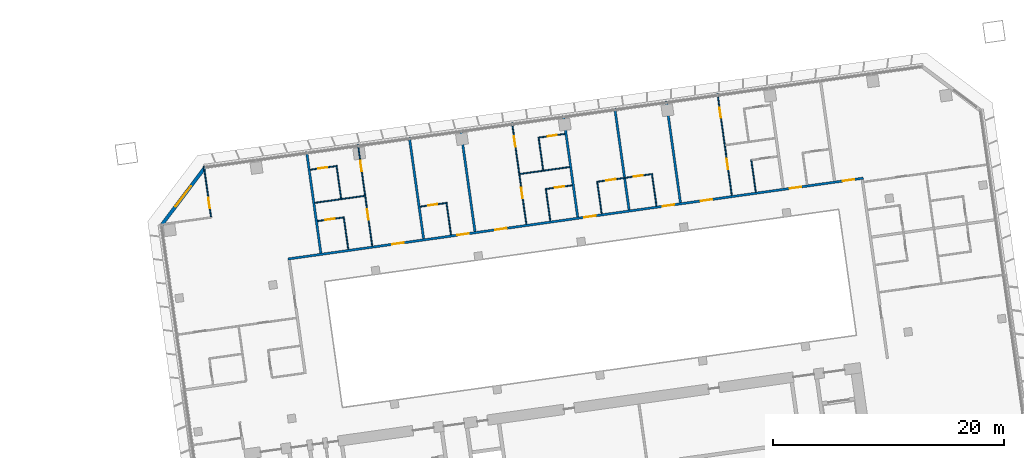
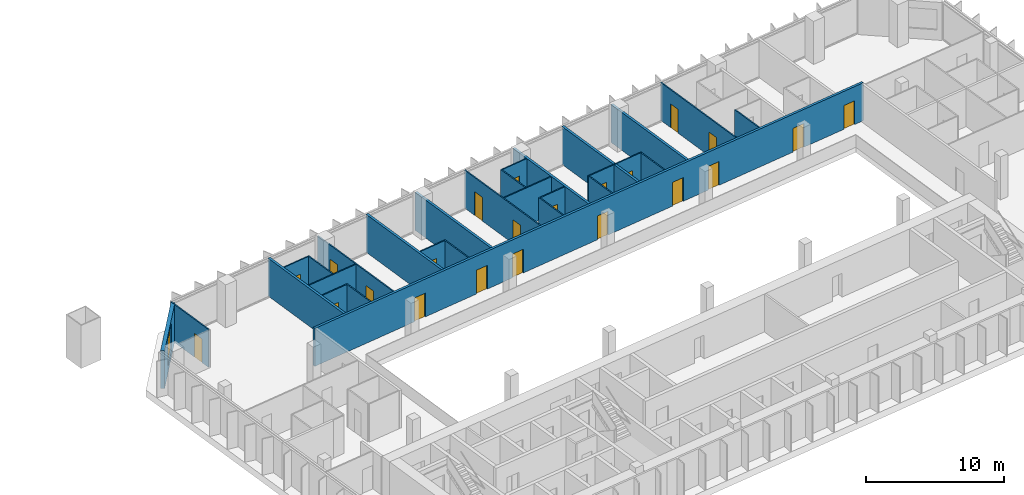
# One storey, part 21 of 25: 28 walls, 22 doors, 1 window, 23 openings.
"""IFC4 building model written with IfcOpenShell, lengths in metres."""

from ifc_helpers import new_model, si_unit, direction, frame, frame_2d, origin, place, context, subcontext, project, spatial, rectangle, extrude, material, layer, layer_set, type_object, element, fill, save


model = new_model("IFC4")

# Units and contexts
model_context = context("Model", 3, precision=1e-05, world=origin(), true_north=direction((0.0, 1.0)))
body_context = subcontext(model_context, "Body", "Model", "MODEL_VIEW")
ifc_project = project(units=[si_unit("LENGTHUNIT", "METRE"), si_unit("AREAUNIT", "SQUARE_METRE"), si_unit("VOLUMEUNIT", "CUBIC_METRE"), si_unit("PLANEANGLEUNIT", "RADIAN"), si_unit("MASSUNIT", "GRAM", prefix="KILO")], contexts=[model_context])

# Site, building, storey
site_placement = place(None, origin())
site = spatial("IfcSite", under=ifc_project, at=site_placement, CompositionType="ELEMENT")
building_placement = place(site_placement, origin())
building = spatial("IfcBuilding", under=site, at=building_placement, Name="Mirante Cascada Hotel Towers", CompositionType="ELEMENT")
storey_placement = place(building_placement, frame((0.0, 0.0, 58.5)))
storey = spatial("IfcBuildingStorey", under=building, at=storey_placement, Name="L11", CompositionType="ELEMENT", Elevation=58.5)

# Wall, openings, doors
ifc_material_1 = material(Name="Fire-rated plasterboard on metal studs")
ifc_layer_1 = layer(ifc_material_1, 0.2)
ifc_layer_set_1 = layer_set([ifc_layer_1], Name="Compartment wall 200 EI 120")
wall_type_1 = type_object("IfcWallType", Name="Compartment wall 200 EI 120", PredefinedType="PARTITIONING", material=ifc_layer_set_1)
wall_1_placement = place(storey_placement, frame((89.0146, 16.3922, 0.0), z_axis=(0.0, 0.0, 1.0), x_axis=(-0.9902681, -0.1391727, 0.0)))
wall_1 = element("IfcWall", 1, at=wall_1_placement, inside=storey, type_object=wall_type_1, Name="Wall 2-L11-17", PredefinedType="PARTITIONING", context=body_context, shape_type="SweptSolid", body=[
    extrude(rectangle(XDim=50.4, YDim=0.2, at=frame_2d((25.2, 0.0))), origin(), (0.0, 0.0, 1.0), 3.35),
])
opening_1_placement = place(wall_1_placement, frame((40.25, 0.0, 0.0)))
opening_1 = element("IfcOpeningElement", 2, at=opening_1_placement, cuts=wall_1, Name="Opening D2-L11-08", PredefinedType="OPENING", context=body_context, shape_type="SweptSolid", body=[
    extrude(rectangle(XDim=1.0, YDim=2.1, at=frame_2d((0.5, 1.05))), frame((0.0, 0.1, 0.0), z_axis=(0.0, -1.0, 0.0), x_axis=(1.0, 0.0, 0.0)), (0.0, 0.0, 1.0), 0.2),
])
opening_2_placement = place(wall_1_placement, frame((34.55, 0.0, 0.0)))
opening_2 = element("IfcOpeningElement", 3, at=opening_2_placement, cuts=wall_1, Name="Opening D2-L11-09", PredefinedType="OPENING", context=body_context, shape_type="SweptSolid", body=[
    extrude(rectangle(XDim=1.0, YDim=2.1, at=frame_2d((0.5, 1.05))), frame((0.0, 0.1, 0.0), z_axis=(0.0, -1.0, 0.0), x_axis=(1.0, 0.0, 0.0)), (0.0, 0.0, 1.0), 0.2),
])
opening_3_placement = place(wall_1_placement, frame((31.25, 0.0, 0.0)))
opening_3 = element("IfcOpeningElement", 4, at=opening_3_placement, cuts=wall_1, Name="Opening D2-L11-10", PredefinedType="OPENING", context=body_context, shape_type="SweptSolid", body=[
    extrude(rectangle(XDim=1.0, YDim=2.1, at=frame_2d((0.5, 1.05))), frame((0.0, 0.1, 0.0), z_axis=(0.0, -1.0, 0.0), x_axis=(1.0, 0.0, 0.0)), (0.0, 0.0, 1.0), 0.2),
])
opening_4_placement = place(wall_1_placement, frame((23.45, 0.0, 0.0)))
opening_4 = element("IfcOpeningElement", 5, at=opening_4_placement, cuts=wall_1, Name="Opening D2-L11-11", PredefinedType="OPENING", context=body_context, shape_type="SweptSolid", body=[
    extrude(rectangle(XDim=1.0, YDim=2.1, at=frame_2d((0.5, 1.05))), frame((0.0, 0.1, 0.0), z_axis=(0.0, -1.0, 0.0), x_axis=(1.0, 0.0, 0.0)), (0.0, 0.0, 1.0), 0.2),
])
opening_5_placement = place(wall_1_placement, frame((16.55, 0.0, 0.0)))
opening_5 = element("IfcOpeningElement", 6, at=opening_5_placement, cuts=wall_1, Name="Opening D2-L11-12", PredefinedType="OPENING", context=body_context, shape_type="SweptSolid", body=[
    extrude(rectangle(XDim=1.0, YDim=2.1, at=frame_2d((0.5, 1.05))), frame((0.0, 0.1, 0.0), z_axis=(0.0, -1.0, 0.0), x_axis=(1.0, 0.0, 0.0)), (0.0, 0.0, 1.0), 0.2),
])
opening_6_placement = place(wall_1_placement, frame((13.25, 0.0, 0.0)))
opening_6 = element("IfcOpeningElement", 7, at=opening_6_placement, cuts=wall_1, Name="Opening D2-L11-13", PredefinedType="OPENING", context=body_context, shape_type="SweptSolid", body=[
    extrude(rectangle(XDim=1.0, YDim=2.1, at=frame_2d((0.5, 1.05))), frame((0.0, 0.1, 0.0), z_axis=(0.0, -1.0, 0.0), x_axis=(1.0, 0.0, 0.0)), (0.0, 0.0, 1.0), 0.2),
])
opening_7_placement = place(wall_1_placement, frame((5.45, 0.0, 0.0)))
opening_7 = element("IfcOpeningElement", 8, at=opening_7_placement, cuts=wall_1, Name="Opening D2-L11-14", PredefinedType="OPENING", context=body_context, shape_type="SweptSolid", body=[
    extrude(rectangle(XDim=1.0, YDim=2.1, at=frame_2d((0.5, 1.05))), frame((0.0, 0.1, 0.0), z_axis=(0.0, -1.0, 0.0), x_axis=(1.0, 0.0, 0.0)), (0.0, 0.0, 1.0), 0.2),
])
opening_8_placement = place(wall_1_placement, frame((0.8, 0.0, 0.0)))
opening_8 = element("IfcOpeningElement", 9, at=opening_8_placement, cuts=wall_1, Name="Opening D2-L11-15", PredefinedType="OPENING", context=body_context, shape_type="SweptSolid", body=[
    extrude(rectangle(XDim=1.0, YDim=2.1, at=frame_2d((0.5, 1.05))), frame((0.0, 0.1, 0.0), z_axis=(0.0, -1.0, 0.0), x_axis=(1.0, 0.0, 0.0)), (0.0, 0.0, 1.0), 0.2),
])
ifc_material_2 = material(Name="Fire-rated timber door leaf", Category="wood")
door_type_1 = type_object("IfcDoorType", Name="Entrance door DG1 1000x2100 EI 60", OperationType="SINGLE_SWING_LEFT", PredefinedType="DOOR", material=ifc_material_2)
door_1_placement = place(opening_1_placement, frame((1.0, 0.0, 0.0), z_axis=(0.0, 0.0, 1.0), x_axis=(-1.0, 0.0, 0.0)))
door_1 = element("IfcDoor", 10, at=door_1_placement, inside=storey, type_object=door_type_1, Name="Door D2-L11-08", OperationType="SINGLE_SWING_RIGHT", OverallHeight=2.1, OverallWidth=1.0, PredefinedType="DOOR", context=body_context, shape_type="SweptSolid", body=[
    extrude(rectangle(XDim=1.0, YDim=2.1, at=frame_2d((0.5, 1.05))), frame((0.0, 0.025, 0.0), z_axis=(0.0, -1.0, 0.0), x_axis=(1.0, 0.0, 0.0)), (0.0, 0.0, 1.0), 0.05),
])
fill(opening_1, door_1)
door_2_placement = place(opening_2_placement, frame((1.0, 0.0, 0.0), z_axis=(0.0, 0.0, 1.0), x_axis=(-1.0, 0.0, 0.0)))
door_2 = element("IfcDoor", 11, at=door_2_placement, inside=storey, type_object=door_type_1, Name="Door D2-L11-09", OperationType="SINGLE_SWING_RIGHT", OverallHeight=2.1, OverallWidth=1.0, PredefinedType="DOOR", context=body_context, shape_type="SweptSolid", body=[
    extrude(rectangle(XDim=1.0, YDim=2.1, at=frame_2d((0.5, 1.05))), frame((0.0, 0.025, 0.0), z_axis=(0.0, -1.0, 0.0), x_axis=(1.0, 0.0, 0.0)), (0.0, 0.0, 1.0), 0.05),
])
fill(opening_2, door_2)
door_3_placement = place(opening_3_placement, frame((1.0, 0.0, 0.0), z_axis=(0.0, 0.0, 1.0), x_axis=(-1.0, 0.0, 0.0)))
door_3 = element("IfcDoor", 12, at=door_3_placement, inside=storey, type_object=door_type_1, Name="Door D2-L11-10", OperationType="SINGLE_SWING_RIGHT", OverallHeight=2.1, OverallWidth=1.0, PredefinedType="DOOR", context=body_context, shape_type="SweptSolid", body=[
    extrude(rectangle(XDim=1.0, YDim=2.1, at=frame_2d((0.5, 1.05))), frame((0.0, 0.025, 0.0), z_axis=(0.0, -1.0, 0.0), x_axis=(1.0, 0.0, 0.0)), (0.0, 0.0, 1.0), 0.05),
])
fill(opening_3, door_3)
door_4_placement = place(opening_4_placement, frame((1.0, 0.0, 0.0), z_axis=(0.0, 0.0, 1.0), x_axis=(-1.0, 0.0, 0.0)))
door_4 = element("IfcDoor", 13, at=door_4_placement, inside=storey, type_object=door_type_1, Name="Door D2-L11-11", OperationType="SINGLE_SWING_RIGHT", OverallHeight=2.1, OverallWidth=1.0, PredefinedType="DOOR", context=body_context, shape_type="SweptSolid", body=[
    extrude(rectangle(XDim=1.0, YDim=2.1, at=frame_2d((0.5, 1.05))), frame((0.0, 0.025, 0.0), z_axis=(0.0, -1.0, 0.0), x_axis=(1.0, 0.0, 0.0)), (0.0, 0.0, 1.0), 0.05),
])
fill(opening_4, door_4)
door_5_placement = place(opening_5_placement, frame((1.0, 0.0, 0.0), z_axis=(0.0, 0.0, 1.0), x_axis=(-1.0, 0.0, 0.0)))
door_5 = element("IfcDoor", 14, at=door_5_placement, inside=storey, type_object=door_type_1, Name="Door D2-L11-12", OperationType="SINGLE_SWING_RIGHT", OverallHeight=2.1, OverallWidth=1.0, PredefinedType="DOOR", context=body_context, shape_type="SweptSolid", body=[
    extrude(rectangle(XDim=1.0, YDim=2.1, at=frame_2d((0.5, 1.05))), frame((0.0, 0.025, 0.0), z_axis=(0.0, -1.0, 0.0), x_axis=(1.0, 0.0, 0.0)), (0.0, 0.0, 1.0), 0.05),
])
fill(opening_5, door_5)
door_6_placement = place(opening_6_placement, frame((1.0, 0.0, 0.0), z_axis=(0.0, 0.0, 1.0), x_axis=(-1.0, 0.0, 0.0)))
door_6 = element("IfcDoor", 15, at=door_6_placement, inside=storey, type_object=door_type_1, Name="Door D2-L11-13", OperationType="SINGLE_SWING_RIGHT", OverallHeight=2.1, OverallWidth=1.0, PredefinedType="DOOR", context=body_context, shape_type="SweptSolid", body=[
    extrude(rectangle(XDim=1.0, YDim=2.1, at=frame_2d((0.5, 1.05))), frame((0.0, 0.025, 0.0), z_axis=(0.0, -1.0, 0.0), x_axis=(1.0, 0.0, 0.0)), (0.0, 0.0, 1.0), 0.05),
])
fill(opening_6, door_6)
door_7_placement = place(opening_7_placement, frame((1.0, 0.0, 0.0), z_axis=(0.0, 0.0, 1.0), x_axis=(-1.0, 0.0, 0.0)))
door_7 = element("IfcDoor", 16, at=door_7_placement, inside=storey, type_object=door_type_1, Name="Door D2-L11-14", OperationType="SINGLE_SWING_RIGHT", OverallHeight=2.1, OverallWidth=1.0, PredefinedType="DOOR", context=body_context, shape_type="SweptSolid", body=[
    extrude(rectangle(XDim=1.0, YDim=2.1, at=frame_2d((0.5, 1.05))), frame((0.0, 0.025, 0.0), z_axis=(0.0, -1.0, 0.0), x_axis=(1.0, 0.0, 0.0)), (0.0, 0.0, 1.0), 0.05),
])
fill(opening_7, door_7)
door_8_placement = place(opening_8_placement, frame((1.0, 0.0, 0.0), z_axis=(0.0, 0.0, 1.0), x_axis=(-1.0, 0.0, 0.0)))
door_8 = element("IfcDoor", 17, at=door_8_placement, inside=storey, type_object=door_type_1, Name="Door D2-L11-15", OperationType="SINGLE_SWING_RIGHT", OverallHeight=2.1, OverallWidth=1.0, PredefinedType="DOOR", context=body_context, shape_type="SweptSolid", body=[
    extrude(rectangle(XDim=1.0, YDim=2.1, at=frame_2d((0.5, 1.05))), frame((0.0, 0.025, 0.0), z_axis=(0.0, -1.0, 0.0), x_axis=(1.0, 0.0, 0.0)), (0.0, 0.0, 1.0), 0.05),
])
fill(opening_8, door_8)

# Walls
for number, where, z_axis, x_axis, name in (
    (18, (41.963, 9.8805, 0.0), (0.0, 0.0, 1.0), (-0.1391794, 0.9902672, 0.0), "Wall 2-L11-38"),
    (19, (50.8754, 11.1331, 0.0), (0.0, 0.0, 1.0), (-0.1391794, 0.9902672, 0.0), "Wall 2-L11-42"),
    (20, (55.3316, 11.7594, 0.0), (0.0, 0.0, 1.0), (-0.1391794, 0.9902672, 0.0), "Wall 2-L11-44"),
    (21, (64.244, 13.0119, 0.0), (0.0, 0.0, 1.0), (-0.1391684, 0.9902687, 0.0), "Wall 2-L11-48"),
    (22, (68.7002, 13.6382, 0.0), (0.0, 0.0, 1.0), (-0.1391684, 0.9902687, 0.0), "Wall 2-L11-50"),
    (23, (73.1564, 14.2645, 0.0), (0.0, 0.0, 1.0), (-0.1391684, 0.9902687, 0.0), "Wall 2-L11-52"),
):
    element("IfcWall", number, at=place(storey_placement, frame(where, z_axis=z_axis, x_axis=x_axis)), inside=storey, type_object=wall_type_1, Name=name, PredefinedType="PARTITIONING", context=body_context, shape_type="SweptSolid", body=[
        extrude(rectangle(XDim=8.9, YDim=0.2, at=frame_2d((4.45, 0.0))), origin(), (0.0, 0.0, 1.0), 3.35),
    ])

# Wall, opening, door
ifc_material_3 = material(Name="Plasterboard on metal studs")
ifc_layer_2 = layer(ifc_material_3, 0.1)
ifc_layer_set_2 = layer_set([ifc_layer_2], Name="Partition 100")
wall_type_2 = type_object("IfcWallType", Name="Partition 100", PredefinedType="PARTITIONING", material=ifc_layer_set_2)
wall_2_placement = place(storey_placement, frame((41.6723, 12.6672, 0.0), z_axis=(0.0, 0.0, 1.0), x_axis=(0.9902643, 0.1391997, 0.0)))
wall_2 = element("IfcWall", 24, at=wall_2_placement, inside=storey, type_object=wall_type_2, Name="Wall 2-L11-18", PredefinedType="PARTITIONING", context=body_context, shape_type="SweptSolid", body=[
    extrude(rectangle(XDim=2.25, YDim=0.1, at=frame_2d((1.125, 0.0))), origin(), (0.0, 0.0, 1.0), 3.35),
])
opening_9_placement = place(wall_2_placement, frame((0.7, 0.0, 0.0)))
opening_9 = element("IfcOpeningElement", 25, at=opening_9_placement, cuts=wall_2, Name="Opening D2-L11-16", PredefinedType="OPENING", context=body_context, shape_type="SweptSolid", body=[
    extrude(rectangle(XDim=0.8, YDim=2.1, at=frame_2d((0.4, 1.05))), frame((0.0, 0.05, 0.0), z_axis=(0.0, -1.0, 0.0), x_axis=(1.0, 0.0, 0.0)), (0.0, 0.0, 1.0), 0.1),
])
ifc_material_4 = material(Name="Timber door leaf", Category="wood")
door_type_2 = type_object("IfcDoorType", Name="Bathroom door DG4 800x2100", OperationType="SINGLE_SWING_LEFT", PredefinedType="DOOR", material=ifc_material_4)
door_9_placement = place(opening_9_placement, frame((0.8, 0.0, 0.0), z_axis=(0.0, 0.0, 1.0), x_axis=(-1.0, 0.0, 0.0)))
door_9 = element("IfcDoor", 26, at=door_9_placement, inside=storey, type_object=door_type_2, Name="Door D2-L11-16", OperationType="SINGLE_SWING_RIGHT", OverallHeight=2.1, OverallWidth=0.8, PredefinedType="DOOR", context=body_context, shape_type="SweptSolid", body=[
    extrude(rectangle(XDim=0.8, YDim=2.1, at=frame_2d((0.4, 1.05))), frame((0.0, 0.025, 0.0), z_axis=(0.0, -1.0, 0.0), x_axis=(1.0, 0.0, 0.0)), (0.0, 0.0, 1.0), 0.05),
])
fill(opening_9, door_9)

wall_3_placement = place(storey_placement, frame((52.8128, 14.2329, 0.0), z_axis=(0.0, 0.0, 1.0), x_axis=(-0.9902705, -0.1391561, 0.0)))
wall_3 = element("IfcWall", 27, at=wall_3_placement, inside=storey, type_object=wall_type_2, Name="Wall 2-L11-19", PredefinedType="PARTITIONING", context=body_context, shape_type="SweptSolid", body=[
    extrude(rectangle(XDim=2.25, YDim=0.1, at=frame_2d((1.125, 0.0))), origin(), (0.0, 0.0, 1.0), 3.35),
])
opening_10_placement = place(wall_3_placement, frame((0.75, 0.0, 0.0)))
opening_10 = element("IfcOpeningElement", 28, at=opening_10_placement, cuts=wall_3, Name="Opening D2-L11-17", PredefinedType="OPENING", context=body_context, shape_type="SweptSolid", body=[
    extrude(rectangle(XDim=0.8, YDim=2.1, at=frame_2d((0.4, 1.05))), frame((0.0, 0.05, 0.0), z_axis=(0.0, -1.0, 0.0), x_axis=(1.0, 0.0, 0.0)), (0.0, 0.0, 1.0), 0.1),
])
door_10_placement = place(opening_10_placement, frame((0.8, 0.0, 0.0), z_axis=(0.0, 0.0, 1.0), x_axis=(-1.0, 0.0, 0.0)))
door_10 = element("IfcDoor", 29, at=door_10_placement, inside=storey, type_object=door_type_2, Name="Door D2-L11-17", OperationType="SINGLE_SWING_RIGHT", OverallHeight=2.1, OverallWidth=0.8, PredefinedType="DOOR", context=body_context, shape_type="SweptSolid", body=[
    extrude(rectangle(XDim=0.8, YDim=2.1, at=frame_2d((0.4, 1.05))), frame((0.0, 0.025, 0.0), z_axis=(0.0, -1.0, 0.0), x_axis=(1.0, 0.0, 0.0)), (0.0, 0.0, 1.0), 0.05),
])
fill(opening_10, door_10)

wall_4_placement = place(storey_placement, frame((61.5272, 15.4576, 0.0), z_axis=(0.0, 0.0, 1.0), x_axis=(0.9902643, 0.1391997, 0.0)))
wall_4 = element("IfcWall", 30, at=wall_4_placement, inside=storey, type_object=wall_type_2, Name="Wall 2-L11-20", PredefinedType="PARTITIONING", context=body_context, shape_type="SweptSolid", body=[
    extrude(rectangle(XDim=2.25, YDim=0.1, at=frame_2d((1.125, 0.0))), origin(), (0.0, 0.0, 1.0), 3.35),
])
opening_11_placement = place(wall_4_placement, frame((0.75, 0.0, 0.0)))
opening_11 = element("IfcOpeningElement", 31, at=opening_11_placement, cuts=wall_4, Name="Opening D2-L11-18", PredefinedType="OPENING", context=body_context, shape_type="SweptSolid", body=[
    extrude(rectangle(XDim=0.8, YDim=2.1, at=frame_2d((0.4, 1.05))), frame((0.0, 0.05, 0.0), z_axis=(0.0, -1.0, 0.0), x_axis=(1.0, 0.0, 0.0)), (0.0, 0.0, 1.0), 0.1),
])
door_11_placement = place(opening_11_placement, frame((0.8, 0.0, 0.0), z_axis=(0.0, 0.0, 1.0), x_axis=(-1.0, 0.0, 0.0)))
door_11 = element("IfcDoor", 32, at=door_11_placement, inside=storey, type_object=door_type_2, Name="Door D2-L11-18", OperationType="SINGLE_SWING_RIGHT", OverallHeight=2.1, OverallWidth=0.8, PredefinedType="DOOR", context=body_context, shape_type="SweptSolid", body=[
    extrude(rectangle(XDim=0.8, YDim=2.1, at=frame_2d((0.4, 1.05))), frame((0.0, 0.025, 0.0), z_axis=(0.0, -1.0, 0.0), x_axis=(1.0, 0.0, 0.0)), (0.0, 0.0, 1.0), 0.05),
])
fill(opening_11, door_11)

# Wall, openings, doors
wall_5_placement = place(storey_placement, frame((70.7367, 16.7519, 0.0), z_axis=(0.0, 0.0, 1.0), x_axis=(-0.9902694, -0.1391638, 0.0)))
wall_5 = element("IfcWall", 33, at=wall_5_placement, inside=storey, type_object=wall_type_2, Name="Wall 2-L11-21", PredefinedType="PARTITIONING", context=body_context, shape_type="SweptSolid", body=[
    extrude(rectangle(XDim=4.9, YDim=0.1, at=frame_2d((2.45, 0.0))), origin(), (0.0, 0.0, 1.0), 3.35),
])
opening_12_placement = place(wall_5_placement, frame((3.25, 0.0, 0.0)))
opening_12 = element("IfcOpeningElement", 34, at=opening_12_placement, cuts=wall_5, Name="Opening D2-L11-19", PredefinedType="OPENING", context=body_context, shape_type="SweptSolid", body=[
    extrude(rectangle(XDim=0.8, YDim=2.1, at=frame_2d((0.4, 1.05))), frame((0.0, 0.05, 0.0), z_axis=(0.0, -1.0, 0.0), x_axis=(1.0, 0.0, 0.0)), (0.0, 0.0, 1.0), 0.1),
])
opening_13_placement = place(wall_5_placement, frame((0.85, 0.0, 0.0)))
opening_13 = element("IfcOpeningElement", 35, at=opening_13_placement, cuts=wall_5, Name="Opening D2-L11-20", PredefinedType="OPENING", context=body_context, shape_type="SweptSolid", body=[
    extrude(rectangle(XDim=0.8, YDim=2.1, at=frame_2d((0.4, 1.05))), frame((0.0, 0.05, 0.0), z_axis=(0.0, -1.0, 0.0), x_axis=(1.0, 0.0, 0.0)), (0.0, 0.0, 1.0), 0.1),
])
door_12_placement = place(opening_12_placement, frame((0.8, 0.0, 0.0), z_axis=(0.0, 0.0, 1.0), x_axis=(-1.0, 0.0, 0.0)))
door_12 = element("IfcDoor", 36, at=door_12_placement, inside=storey, type_object=door_type_2, Name="Door D2-L11-19", OperationType="SINGLE_SWING_RIGHT", OverallHeight=2.1, OverallWidth=0.8, PredefinedType="DOOR", context=body_context, shape_type="SweptSolid", body=[
    extrude(rectangle(XDim=0.8, YDim=2.1, at=frame_2d((0.4, 1.05))), frame((0.0, 0.025, 0.0), z_axis=(0.0, -1.0, 0.0), x_axis=(1.0, 0.0, 0.0)), (0.0, 0.0, 1.0), 0.05),
])
fill(opening_12, door_12)
door_13_placement = place(opening_13_placement, frame((0.8, 0.0, 0.0), z_axis=(0.0, 0.0, 1.0), x_axis=(-1.0, 0.0, 0.0)))
door_13 = element("IfcDoor", 37, at=door_13_placement, inside=storey, type_object=door_type_2, Name="Door D2-L11-20", OperationType="SINGLE_SWING_RIGHT", OverallHeight=2.1, OverallWidth=0.8, PredefinedType="DOOR", context=body_context, shape_type="SweptSolid", body=[
    extrude(rectangle(XDim=0.8, YDim=2.1, at=frame_2d((0.4, 1.05))), frame((0.0, 0.025, 0.0), z_axis=(0.0, -1.0, 0.0), x_axis=(1.0, 0.0, 0.0)), (0.0, 0.0, 1.0), 0.05),
])
fill(opening_13, door_13)

# Walls
for number, where, z_axis, x_axis, name in (
    (38, (45.7573, 14.857, 0.0), (0.0, 0.0, 1.0), (-0.9902683, -0.1391714, 0.0), "Wall 2-L11-25"),
    (39, (59.2249, 16.7498, 0.0), (0.0, 0.0, 1.0), (0.9902683, 0.1391714, 0.0), "Wall 2-L11-26"),
):
    element("IfcWall", number, at=place(storey_placement, frame(where, z_axis=z_axis, x_axis=x_axis)), inside=storey, type_object=wall_type_2, Name=name, PredefinedType="PARTITIONING", context=body_context, shape_type="SweptSolid", body=[
        extrude(rectangle(XDim=4.35, YDim=0.1, at=frame_2d((2.175, 0.0))), origin(), (0.0, 0.0, 1.0), 3.35),
    ])

# Wall, opening, door
wall_6_placement = place(storey_placement, frame((41.046, 17.1234, 0.0), z_axis=(0.0, 0.0, 1.0), x_axis=(0.9902643, 0.1391997, 0.0)))
wall_6 = element("IfcWall", 40, at=wall_6_placement, inside=storey, type_object=wall_type_2, Name="Wall 2-L11-28", PredefinedType="PARTITIONING", context=body_context, shape_type="SweptSolid", body=[
    extrude(rectangle(XDim=2.25, YDim=0.1, at=frame_2d((1.125, 0.0))), origin(), (0.0, 0.0, 1.0), 3.35),
])
opening_14_placement = place(wall_6_placement, frame((0.7, 0.0, 0.0)))
opening_14 = element("IfcOpeningElement", 41, at=opening_14_placement, cuts=wall_6, Name="Opening D2-L11-23", PredefinedType="OPENING", context=body_context, shape_type="SweptSolid", body=[
    extrude(rectangle(XDim=0.8, YDim=2.1, at=frame_2d((0.4, 1.05))), frame((0.0, 0.05, 0.0), z_axis=(0.0, -1.0, 0.0), x_axis=(1.0, 0.0, 0.0)), (0.0, 0.0, 1.0), 0.1),
])
door_14_placement = place(opening_14_placement, frame((0.8, 0.0, 0.0), z_axis=(0.0, 0.0, 1.0), x_axis=(-1.0, 0.0, 0.0)))
door_14 = element("IfcDoor", 42, at=door_14_placement, inside=storey, type_object=door_type_2, Name="Door D2-L11-23", OperationType="SINGLE_SWING_RIGHT", OverallHeight=2.1, OverallWidth=0.8, PredefinedType="DOOR", context=body_context, shape_type="SweptSolid", body=[
    extrude(rectangle(XDim=0.8, YDim=2.1, at=frame_2d((0.4, 1.05))), frame((0.0, 0.025, 0.0), z_axis=(0.0, -1.0, 0.0), x_axis=(1.0, 0.0, 0.0)), (0.0, 0.0, 1.0), 0.05),
])
fill(opening_14, door_14)

wall_7_placement = place(storey_placement, frame((63.129, 20.227, 0.0), z_axis=(0.0, 0.0, 1.0), x_axis=(-0.9902643, -0.1391997, 0.0)))
wall_7 = element("IfcWall", 43, at=wall_7_placement, inside=storey, type_object=wall_type_2, Name="Wall 2-L11-29", PredefinedType="PARTITIONING", context=body_context, shape_type="SweptSolid", body=[
    extrude(rectangle(XDim=2.25, YDim=0.1, at=frame_2d((1.125, 0.0))), origin(), (0.0, 0.0, 1.0), 3.35),
])
opening_15_placement = place(wall_7_placement, frame((0.7, 0.0, 0.0)))
opening_15 = element("IfcOpeningElement", 44, at=opening_15_placement, cuts=wall_7, Name="Opening D2-L11-24", PredefinedType="OPENING", context=body_context, shape_type="SweptSolid", body=[
    extrude(rectangle(XDim=0.8, YDim=2.1, at=frame_2d((0.4, 1.05))), frame((0.0, 0.05, 0.0), z_axis=(0.0, -1.0, 0.0), x_axis=(1.0, 0.0, 0.0)), (0.0, 0.0, 1.0), 0.1),
])
door_15_placement = place(opening_15_placement, origin())
door_15 = element("IfcDoor", 45, at=door_15_placement, inside=storey, type_object=door_type_2, Name="Door D2-L11-24", OperationType="SINGLE_SWING_LEFT", OverallHeight=2.1, OverallWidth=0.8, PredefinedType="DOOR", context=body_context, shape_type="SweptSolid", body=[
    extrude(rectangle(XDim=0.8, YDim=2.1, at=frame_2d((0.4, 1.05))), frame((0.0, 0.025, 0.0), z_axis=(0.0, -1.0, 0.0), x_axis=(1.0, 0.0, 0.0)), (0.0, 0.0, 1.0), 0.05),
])
fill(opening_15, door_15)

wall_8_placement = place(storey_placement, frame((32.4312, 13.0347, 0.0), z_axis=(0.0, 0.0, 1.0), x_axis=(-0.1391684, 0.9902687, 0.0)))
wall_8 = element("IfcWall", 46, at=wall_8_placement, inside=storey, type_object=wall_type_2, Name="Wall 2-L11-34", PredefinedType="PARTITIONING", context=body_context, shape_type="SweptSolid", body=[
    extrude(rectangle(XDim=4.45, YDim=0.1, at=frame_2d((2.225, 0.0))), origin(), (0.0, 0.0, 1.0), 3.35),
])
opening_16_placement = place(wall_8_placement, frame((0.75, 0.0, 0.0)))
opening_16 = element("IfcOpeningElement", 47, at=opening_16_placement, cuts=wall_8, Name="Opening D2-L11-29", PredefinedType="OPENING", context=body_context, shape_type="SweptSolid", body=[
    extrude(rectangle(XDim=0.9, YDim=2.1, at=frame_2d((0.45, 1.05))), frame((0.0, 0.05, 0.0), z_axis=(0.0, -1.0, 0.0), x_axis=(1.0, 0.0, 0.0)), (0.0, 0.0, 1.0), 0.1),
])
ifc_material_5 = material(Name="Timber door leaf", Category="wood")
door_type_3 = type_object("IfcDoorType", Name="Room door DG3 900x2100", OperationType="SINGLE_SWING_LEFT", PredefinedType="DOOR", material=ifc_material_5)
door_16_placement = place(opening_16_placement, frame((0.9, 0.0, 0.0), z_axis=(0.0, 0.0, 1.0), x_axis=(-1.0, 0.0, 0.0)))
door_16 = element("IfcDoor", 48, at=door_16_placement, inside=storey, type_object=door_type_3, Name="Door D2-L11-29", OperationType="SINGLE_SWING_RIGHT", OverallHeight=2.1, OverallWidth=0.9, PredefinedType="DOOR", context=body_context, shape_type="SweptSolid", body=[
    extrude(rectangle(XDim=0.9, YDim=2.1, at=frame_2d((0.45, 1.05))), frame((0.0, 0.025, 0.0), z_axis=(0.0, -1.0, 0.0), x_axis=(1.0, 0.0, 0.0)), (0.0, 0.0, 1.0), 0.05),
])
fill(opening_16, door_16)

# Walls
wall_9_placement = place(storey_placement, frame((43.943, 13.0368, 0.0), z_axis=(0.0, 0.0, 1.0), x_axis=(0.1391613, -0.9902697, 0.0)))
element("IfcWall", 49, at=wall_9_placement, inside=storey, type_object=wall_type_2, Name="Wall 2-L11-39", PredefinedType="PARTITIONING", context=body_context, shape_type="SweptSolid", body=[
    extrude(rectangle(XDim=2.8499, YDim=0.1, at=frame_2d((1.425, 0.0))), origin(), (0.0, 0.0, 1.0), 3.35),
])
wall_10_placement = place(storey_placement, frame((43.7203, 14.6213, 0.0), z_axis=(0.0, 0.0, 1.0), x_axis=(-0.1391761, 0.9902676, 0.0)))
element("IfcWall", 50, at=wall_10_placement, inside=storey, type_object=wall_type_2, Name="Wall 2-L11-40", PredefinedType="PARTITIONING", context=body_context, shape_type="SweptSolid", body=[
    extrude(rectangle(XDim=2.8999, YDim=0.1, at=frame_2d((1.45, 0.0))), origin(), (0.0, 0.0, 1.0), 3.35),
])

# Wall, openings, doors
wall_11_placement = place(storey_placement, frame((45.1805, 19.3202, 0.0), z_axis=(0.0, 0.0, 1.0), x_axis=(0.1391794, -0.9902672, 0.0)))
wall_11 = element("IfcWall", 51, at=wall_11_placement, inside=storey, type_object=wall_type_2, Name="Wall 2-L11-41", PredefinedType="PARTITIONING", context=body_context, shape_type="SweptSolid", body=[
    extrude(rectangle(XDim=8.9, YDim=0.1, at=frame_2d((4.45, 0.0))), origin(), (0.0, 0.0, 1.0), 3.35),
])
opening_17_placement = place(wall_11_placement, frame((5.7, 0.0, 0.0)))
opening_17 = element("IfcOpeningElement", 52, at=opening_17_placement, cuts=wall_11, Name="Opening D2-L11-32", PredefinedType="OPENING", context=body_context, shape_type="SweptSolid", body=[
    extrude(rectangle(XDim=0.9, YDim=2.1, at=frame_2d((0.45, 1.05))), frame((0.0, 0.05, 0.0), z_axis=(0.0, -1.0, 0.0), x_axis=(1.0, 0.0, 0.0)), (0.0, 0.0, 1.0), 0.1),
])
opening_18_placement = place(wall_11_placement, frame((1.45, 0.0, 0.0)))
opening_18 = element("IfcOpeningElement", 53, at=opening_18_placement, cuts=wall_11, Name="Opening D2-L11-33", PredefinedType="OPENING", context=body_context, shape_type="SweptSolid", body=[
    extrude(rectangle(XDim=0.9, YDim=2.1, at=frame_2d((0.45, 1.05))), frame((0.0, 0.05, 0.0), z_axis=(0.0, -1.0, 0.0), x_axis=(1.0, 0.0, 0.0)), (0.0, 0.0, 1.0), 0.1),
])
door_17_placement = place(opening_17_placement, origin())
door_17 = element("IfcDoor", 54, at=door_17_placement, inside=storey, type_object=door_type_3, Name="Door D2-L11-32", OperationType="SINGLE_SWING_LEFT", OverallHeight=2.1, OverallWidth=0.9, PredefinedType="DOOR", context=body_context, shape_type="SweptSolid", body=[
    extrude(rectangle(XDim=0.9, YDim=2.1, at=frame_2d((0.45, 1.05))), frame((0.0, 0.025, 0.0), z_axis=(0.0, -1.0, 0.0), x_axis=(1.0, 0.0, 0.0)), (0.0, 0.0, 1.0), 0.05),
])
fill(opening_17, door_17)
door_18_placement = place(opening_18_placement, origin())
door_18 = element("IfcDoor", 55, at=door_18_placement, inside=storey, type_object=door_type_3, Name="Door D2-L11-33", OperationType="SINGLE_SWING_LEFT", OverallHeight=2.1, OverallWidth=0.9, PredefinedType="DOOR", context=body_context, shape_type="SweptSolid", body=[
    extrude(rectangle(XDim=0.9, YDim=2.1, at=frame_2d((0.45, 1.05))), frame((0.0, 0.025, 0.0), z_axis=(0.0, -1.0, 0.0), x_axis=(1.0, 0.0, 0.0)), (0.0, 0.0, 1.0), 0.05),
])
fill(opening_18, door_18)

# Wall
wall_12_placement = place(storey_placement, frame((52.8554, 14.2894, 0.0), z_axis=(0.0, 0.0, 1.0), x_axis=(0.1391564, -0.9902704, 0.0)))
element("IfcWall", 56, at=wall_12_placement, inside=storey, type_object=wall_type_2, Name="Wall 2-L11-43", PredefinedType="PARTITIONING", context=body_context, shape_type="SweptSolid", body=[
    extrude(rectangle(XDim=2.85, YDim=0.1, at=frame_2d((1.425, 0.0))), origin(), (0.0, 0.0, 1.0), 3.35),
])

# Wall, openings, doors
wall_13_placement = place(storey_placement, frame((58.5492, 21.199, 0.0), z_axis=(0.0, 0.0, 1.0), x_axis=(0.13917, -0.9902685, 0.0)))
wall_13 = element("IfcWall", 57, at=wall_13_placement, inside=storey, type_object=wall_type_2, Name="Wall 2-L11-45", PredefinedType="PARTITIONING", context=body_context, shape_type="SweptSolid", body=[
    extrude(rectangle(XDim=8.8999, YDim=0.1, at=frame_2d((4.45, 0.0))), origin(), (0.0, 0.0, 1.0), 3.35),
])
opening_19_placement = place(wall_13_placement, frame((5.7, 0.0, 0.0)))
opening_19 = element("IfcOpeningElement", 58, at=opening_19_placement, cuts=wall_13, Name="Opening D2-L11-34", PredefinedType="OPENING", context=body_context, shape_type="SweptSolid", body=[
    extrude(rectangle(XDim=0.9, YDim=2.1, at=frame_2d((0.45, 1.05))), frame((0.0, 0.05, 0.0), z_axis=(0.0, -1.0, 0.0), x_axis=(1.0, 0.0, 0.0)), (0.0, 0.0, 1.0), 0.1),
])
opening_20_placement = place(wall_13_placement, frame((1.2, 0.0, 0.0)))
opening_20 = element("IfcOpeningElement", 59, at=opening_20_placement, cuts=wall_13, Name="Opening D2-L11-35", PredefinedType="OPENING", context=body_context, shape_type="SweptSolid", body=[
    extrude(rectangle(XDim=0.9, YDim=2.1, at=frame_2d((0.45, 1.05))), frame((0.0, 0.05, 0.0), z_axis=(0.0, -1.0, 0.0), x_axis=(1.0, 0.0, 0.0)), (0.0, 0.0, 1.0), 0.1),
])
door_19_placement = place(opening_19_placement, frame((0.9, 0.0, 0.0), z_axis=(0.0, 0.0, 1.0), x_axis=(-1.0, 0.0, 0.0)))
door_19 = element("IfcDoor", 60, at=door_19_placement, inside=storey, type_object=door_type_3, Name="Door D2-L11-34", OperationType="SINGLE_SWING_RIGHT", OverallHeight=2.1, OverallWidth=0.9, PredefinedType="DOOR", context=body_context, shape_type="SweptSolid", body=[
    extrude(rectangle(XDim=0.9, YDim=2.1, at=frame_2d((0.45, 1.05))), frame((0.0, 0.025, 0.0), z_axis=(0.0, -1.0, 0.0), x_axis=(1.0, 0.0, 0.0)), (0.0, 0.0, 1.0), 0.05),
])
fill(opening_19, door_19)
door_20_placement = place(opening_20_placement, frame((0.9, 0.0, 0.0), z_axis=(0.0, 0.0, 1.0), x_axis=(-1.0, 0.0, 0.0)))
door_20 = element("IfcDoor", 61, at=door_20_placement, inside=storey, type_object=door_type_3, Name="Door D2-L11-35", OperationType="SINGLE_SWING_RIGHT", OverallHeight=2.1, OverallWidth=0.9, PredefinedType="DOOR", context=body_context, shape_type="SweptSolid", body=[
    extrude(rectangle(XDim=0.9, YDim=2.1, at=frame_2d((0.45, 1.05))), frame((0.0, 0.025, 0.0), z_axis=(0.0, -1.0, 0.0), x_axis=(1.0, 0.0, 0.0)), (0.0, 0.0, 1.0), 0.05),
])
fill(opening_20, door_20)

# Walls
wall_14_placement = place(storey_placement, frame((61.8674, 12.6779, 0.0), z_axis=(0.0, 0.0, 1.0), x_axis=(-0.1391909, 0.9902656, 0.0)))
element("IfcWall", 62, at=wall_14_placement, inside=storey, type_object=wall_type_2, Name="Wall 2-L11-46", PredefinedType="PARTITIONING", context=body_context, shape_type="SweptSolid", body=[
    extrude(rectangle(XDim=2.85, YDim=0.1, at=frame_2d((1.425, 0.0))), origin(), (0.0, 0.0, 1.0), 3.35),
])
wall_15_placement = place(storey_placement, frame((60.8444, 19.9564, 0.0), z_axis=(0.0, 0.0, 1.0), x_axis=(0.1391714, -0.9902683, 0.0)))
element("IfcWall", 63, at=wall_15_placement, inside=storey, type_object=wall_type_2, Name="Wall 2-L11-47", PredefinedType="PARTITIONING", context=body_context, shape_type="SweptSolid", body=[
    extrude(rectangle(XDim=2.9, YDim=0.1, at=frame_2d((1.45, 0.0))), origin(), (0.0, 0.0, 1.0), 3.35),
])
wall_16_placement = place(storey_placement, frame((65.9408, 16.0274, 0.0), z_axis=(0.0, 0.0, 1.0), x_axis=(0.1392013, -0.9902641, 0.0)))
element("IfcWall", 64, at=wall_16_placement, inside=storey, type_object=wall_type_2, Name="Wall 2-L11-49", PredefinedType="PARTITIONING", context=body_context, shape_type="SweptSolid", body=[
    extrude(rectangle(XDim=2.75, YDim=0.1, at=frame_2d((1.375, 0.0))), origin(), (0.0, 0.0, 1.0), 3.35),
])
wall_17_placement = place(storey_placement, frame((70.6941, 16.6955, 0.0), z_axis=(0.0, 0.0, 1.0), x_axis=(0.1391963, -0.9902648, 0.0)))
element("IfcWall", 65, at=wall_17_placement, inside=storey, type_object=wall_type_2, Name="Wall 2-L11-51", PredefinedType="PARTITIONING", context=body_context, shape_type="SweptSolid", body=[
    extrude(rectangle(XDim=2.7501, YDim=0.1, at=frame_2d((1.3751, 0.0))), origin(), (0.0, 0.0, 1.0), 3.35),
])

# Wall, openings, doors
wall_18_placement = place(storey_placement, frame((76.374, 23.7042, 0.0), z_axis=(0.0, 0.0, 1.0), x_axis=(0.1391684, -0.9902687, 0.0)))
wall_18 = element("IfcWall", 66, at=wall_18_placement, inside=storey, type_object=wall_type_2, Name="Wall 2-L11-53", PredefinedType="PARTITIONING", context=body_context, shape_type="SweptSolid", body=[
    extrude(rectangle(XDim=8.9, YDim=0.1, at=frame_2d((4.45, 0.0))), origin(), (0.0, 0.0, 1.0), 3.35),
])
opening_21_placement = place(wall_18_placement, frame((5.7, 0.0, 0.0)))
opening_21 = element("IfcOpeningElement", 67, at=opening_21_placement, cuts=wall_18, Name="Opening D2-L11-36", PredefinedType="OPENING", context=body_context, shape_type="SweptSolid", body=[
    extrude(rectangle(XDim=0.9, YDim=2.1, at=frame_2d((0.45, 1.05))), frame((0.0, 0.05, 0.0), z_axis=(0.0, -1.0, 0.0), x_axis=(1.0, 0.0, 0.0)), (0.0, 0.0, 1.0), 0.1),
])
opening_22_placement = place(wall_18_placement, frame((1.2, 0.0, 0.0)))
opening_22 = element("IfcOpeningElement", 68, at=opening_22_placement, cuts=wall_18, Name="Opening D2-L11-37", PredefinedType="OPENING", context=body_context, shape_type="SweptSolid", body=[
    extrude(rectangle(XDim=0.9, YDim=2.1, at=frame_2d((0.45, 1.05))), frame((0.0, 0.05, 0.0), z_axis=(0.0, -1.0, 0.0), x_axis=(1.0, 0.0, 0.0)), (0.0, 0.0, 1.0), 0.1),
])
door_21_placement = place(opening_21_placement, frame((0.9, 0.0, 0.0), z_axis=(0.0, 0.0, 1.0), x_axis=(-1.0, 0.0, 0.0)))
door_21 = element("IfcDoor", 69, at=door_21_placement, inside=storey, type_object=door_type_3, Name="Door D2-L11-36", OperationType="SINGLE_SWING_RIGHT", OverallHeight=2.1, OverallWidth=0.9, PredefinedType="DOOR", context=body_context, shape_type="SweptSolid", body=[
    extrude(rectangle(XDim=0.9, YDim=2.1, at=frame_2d((0.45, 1.05))), frame((0.0, 0.025, 0.0), z_axis=(0.0, -1.0, 0.0), x_axis=(1.0, 0.0, 0.0)), (0.0, 0.0, 1.0), 0.05),
])
fill(opening_21, door_21)
door_22_placement = place(opening_22_placement, frame((0.9, 0.0, 0.0), z_axis=(0.0, 0.0, 1.0), x_axis=(-1.0, 0.0, 0.0)))
door_22 = element("IfcDoor", 70, at=door_22_placement, inside=storey, type_object=door_type_3, Name="Door D2-L11-37", OperationType="SINGLE_SWING_RIGHT", OverallHeight=2.1, OverallWidth=0.9, PredefinedType="DOOR", context=body_context, shape_type="SweptSolid", body=[
    extrude(rectangle(XDim=0.9, YDim=2.1, at=frame_2d((0.45, 1.05))), frame((0.0, 0.025, 0.0), z_axis=(0.0, -1.0, 0.0), x_axis=(1.0, 0.0, 0.0)), (0.0, 0.0, 1.0), 0.05),
])
fill(opening_22, door_22)

# Wall
wall_19_placement = place(storey_placement, frame((79.6922, 15.183, 0.0), z_axis=(0.0, 0.0, 1.0), x_axis=(-0.1391909, 0.9902656, 0.0)))
element("IfcWall", 71, at=wall_19_placement, inside=storey, type_object=wall_type_2, Name="Wall 2-L11-54", PredefinedType="PARTITIONING", context=body_context, shape_type="SweptSolid", body=[
    extrude(rectangle(XDim=2.85, YDim=0.1, at=frame_2d((1.425, 0.0))), origin(), (0.0, 0.0, 1.0), 3.35),
])

# Wall, opening, window
ifc_material_6 = material(Name="Precast concrete C40/50", Category="concrete")
ifc_layer_3 = layer(ifc_material_6, 0.3)
ifc_layer_set_3 = layer_set([ifc_layer_3], Name="Precast concrete C40/50 cladding wall 300")
wall_type_3 = type_object("IfcWallType", Name="Precast concrete C40/50 cladding wall 300", PredefinedType="STANDARD", material=ifc_layer_set_3)
wall_20_placement = place(storey_placement, frame((31.857, 17.252, 0.0), z_axis=(0.0, 0.0, 1.0), x_axis=(-0.6018141, -0.7986362, 0.0)))
wall_20 = element("IfcWall", 72, at=wall_20_placement, inside=storey, type_object=wall_type_3, Name="Corner cladding wall T2 L11 front inner", PredefinedType="STANDARD", context=body_context, shape_type="SweptSolid", body=[
    extrude(rectangle(XDim=6.1157, YDim=0.3, at=frame_2d((3.0578, 0.0))), origin(), (0.0, 0.0, 1.0), 3.35),
])
opening_23_placement = place(wall_20_placement, frame((1.9578, 0.0, 0.6)))
opening_23 = element("IfcOpeningElement", 73, at=opening_23_placement, cuts=wall_20, Name="Opening W2-11-04", PredefinedType="OPENING", context=body_context, shape_type="SweptSolid", body=[
    extrude(rectangle(XDim=2.2, YDim=2.4, at=frame_2d((1.1, 1.2))), frame((0.0, 0.15, 0.0), z_axis=(0.0, -1.0, 0.0), x_axis=(1.0, 0.0, 0.0)), (0.0, 0.0, 1.0), 0.3),
])
ifc_material_7 = material(Name="Aluminium frame with clear double glazing", Category="aluminium")
window_type = type_object("IfcWindowType", Name="Corner suite window 2200x2400", PartitioningType="DOUBLE_PANEL_VERTICAL", PredefinedType="WINDOW", material=ifc_material_7)
window_placement = place(opening_23_placement, origin())
window = element("IfcWindow", 74, at=window_placement, inside=storey, type_object=window_type, Name="Window W2-11-04", OverallHeight=2.4, OverallWidth=2.2, PartitioningType="SINGLE_PANEL", PredefinedType="WINDOW", context=body_context, shape_type="SweptSolid", body=[
    extrude(rectangle(XDim=2.2, YDim=2.4, at=frame_2d((1.1, 1.2))), frame((0.0, 0.03, 0.0), z_axis=(0.0, -1.0, 0.0), x_axis=(1.0, 0.0, 0.0)), (0.0, 0.0, 1.0), 0.06),
])
fill(opening_23, window)

save(model, "model.ifc")
